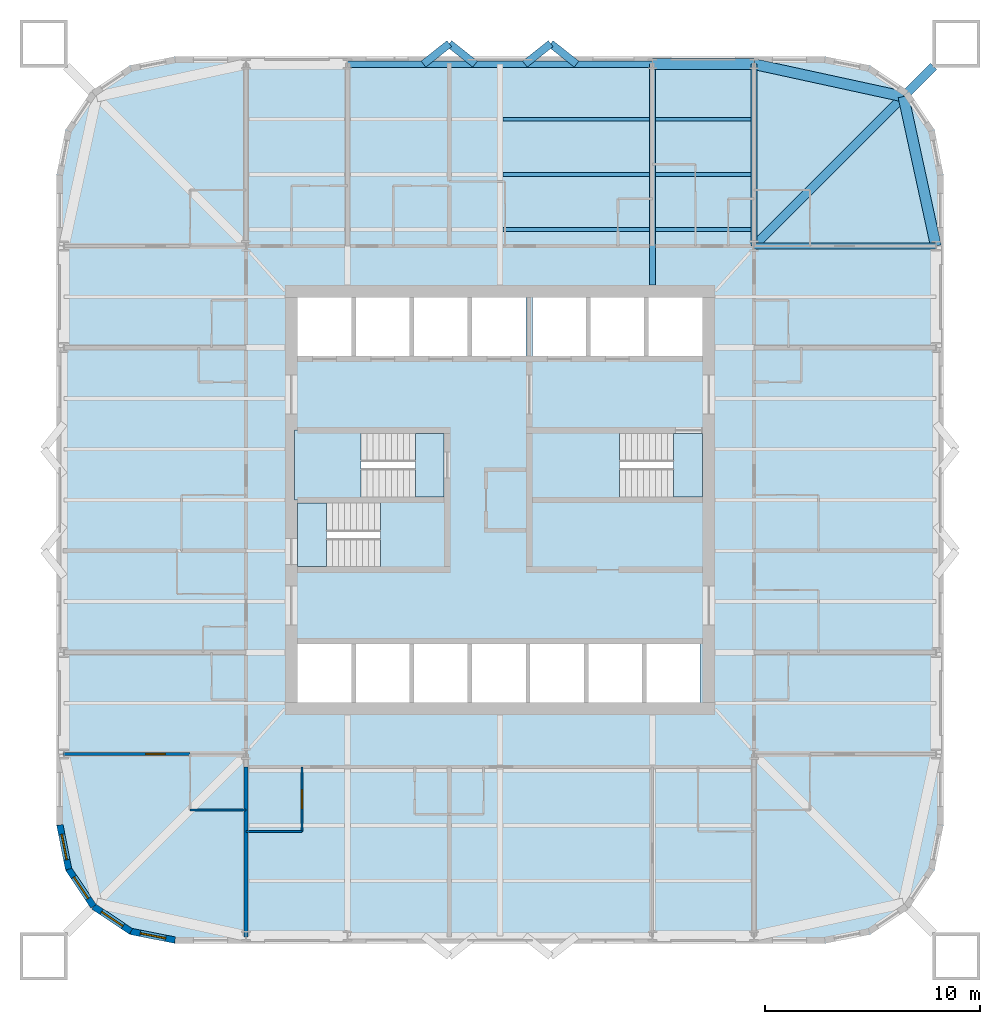
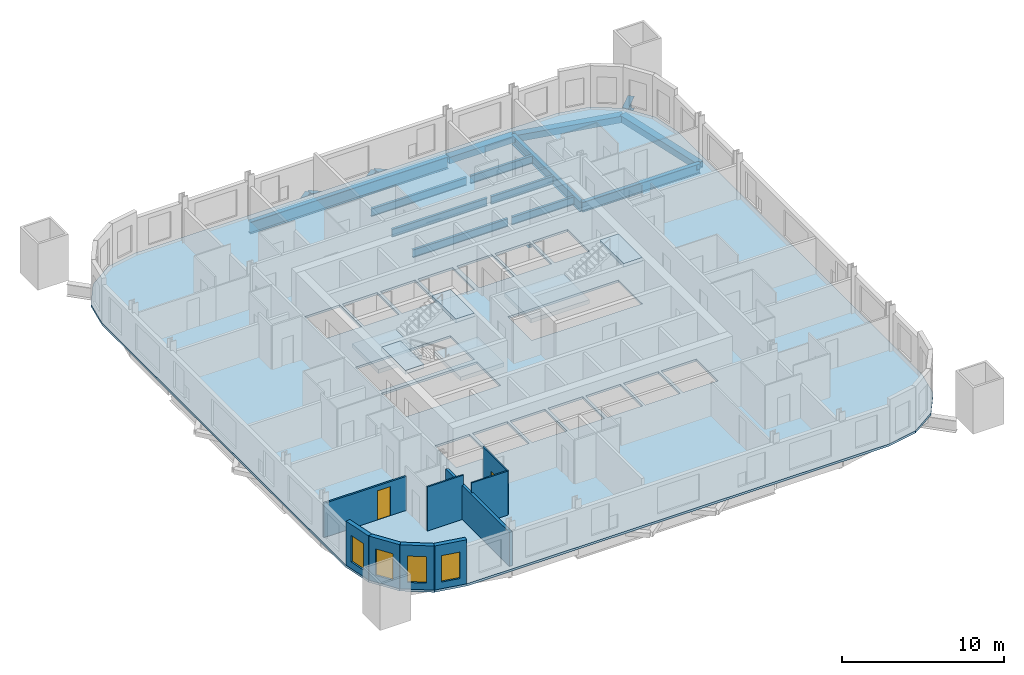
# One storey, part 2 of 9: 18 beams, 9 walls, 7 slabs, 4 windows, 2 doors, 6 openings, 3 elements without a shape of their own.
"""IFC4 building model written with IfcOpenShell, lengths in metres."""

import ifcopenshell
import ifcopenshell.guid

model = None  # the IFC model being written
_history = None  # IfcOwnerHistory: only IFC2X3 demands one
_inside = {}  # id of a spatial element -> (the spatial element, [elements in it])
_under = {}  # id of a project, library or spatial element -> (it, [spatial elements below it])
_declared = {}  # id of a project -> (the project, [libraries it declares])
_typed = {}  # id of a type object -> (the type object, [elements of that type])
_made_of = {}  # id of a material, layer set ... -> (it, [elements and type objects made of it])


def new_model(schema):
    """Start an empty IFC model of exactly this schema.

    Asked for "IFC4X3", IfcOpenShell would pick the latest addendum, in which some entities
    have other attributes; the version numbers below select the first issue.
    IFC2X3 requires an IfcOwnerHistory on every rooted entity: one is made here for all.
    """
    global model, _history
    if schema == "IFC4X3":
        model = ifcopenshell.file(schema_version=(4, 3, 0, 0))
    else:
        model = ifcopenshell.file(schema=schema)
    _inside.clear()
    _under.clear()
    _declared.clear()
    _typed.clear()
    _made_of.clear()
    _history = None
    if model.schema == "IFC2X3":
        org = make("IfcOrganization", Name="unknown")
        user = make(
            "IfcPersonAndOrganization",
            ThePerson=make("IfcPerson", FamilyName="unknown"),
            TheOrganization=org,
        )
        app = make(
            "IfcApplication",
            ApplicationDeveloper=org,
            Version="unknown",
            ApplicationFullName="unknown",
            ApplicationIdentifier="unknown",
        )
        _history = make(
            "IfcOwnerHistory",
            OwningUser=user,
            OwningApplication=app,
            ChangeAction="ADDED",
            CreationDate=0,
        )
    return model


def make(cls, **values):
    """One entity of the class cls with the attributes given. An attribute that is None is left unset."""
    return model.create_entity(
        cls, **{name: value for name, value in values.items() if value is not None}
    )


def rooted(cls, **values):
    """An entity with a GlobalId (a new one), such as an element, a storey or a relation."""
    return make(cls, GlobalId=ifcopenshell.guid.new(), OwnerHistory=_history, **values)


def si_unit(unit_type, name, prefix=None):
    """IfcSIUnit, for example si_unit("LENGTHUNIT", "METRE", prefix="MILLI")."""
    return make("IfcSIUnit", UnitType=unit_type, Prefix=prefix, Name=name)


def assignment(units):
    """IfcUnitAssignment: the units of a project."""
    return None if units is None else make("IfcUnitAssignment", Units=units)


def point(xyz):
    """IfcCartesianPoint."""
    return None if xyz is None else make("IfcCartesianPoint", Coordinates=xyz)


def direction(xyz):
    """IfcDirection."""
    return None if xyz is None else make("IfcDirection", DirectionRatios=xyz)


def frame(location, z_axis=None, x_axis=None):
    """IfcAxis2Placement3D, a coordinate frame: its origin and axes. An axis left out is left unset."""
    return make(
        "IfcAxis2Placement3D",
        Location=point(location),
        Axis=direction(z_axis),
        RefDirection=direction(x_axis),
    )


def frame_2d(location, x_axis=None):
    """IfcAxis2Placement2D, a coordinate frame in the plane: its origin and x axis."""
    return make(
        "IfcAxis2Placement2D", Location=point(location), RefDirection=direction(x_axis)
    )


def origin():
    """The frame at (0, 0, 0) with its axes left unset."""
    return frame((0.0, 0.0, 0.0))


def origin_2d():
    """The frame at (0, 0) in the plane with its x axis left unset."""
    return frame_2d((0.0, 0.0))


def place(relative_to, where):
    """IfcLocalPlacement: puts the frame where relative to a parent placement (None: the world)."""
    return make(
        "IfcLocalPlacement", PlacementRelTo=relative_to, RelativePlacement=where
    )


def context(
    kind, dimensions, precision=None, world=None, true_north=None, identifier=None
):
    """IfcGeometricRepresentationContext, for example the 3D "Model" context."""
    return make(
        "IfcGeometricRepresentationContext",
        ContextIdentifier=identifier,
        ContextType=kind,
        CoordinateSpaceDimension=dimensions,
        Precision=precision,
        WorldCoordinateSystem=world,
        TrueNorth=true_north,
    )


def subcontext(parent, identifier, kind, view, scale=None):
    """IfcGeometricRepresentationSubContext, for example "Body" below "Model"."""
    return make(
        "IfcGeometricRepresentationSubContext",
        ContextIdentifier=identifier,
        ContextType=kind,
        ParentContext=parent,
        TargetScale=scale,
        TargetView=view,
    )


def project(units=None, contexts=None):
    """IfcProject with its units and contexts."""
    return rooted(
        "IfcProject",
        Name="project",
        RepresentationContexts=contexts,
        UnitsInContext=assignment(units),
    )


def spatial(cls, under=None, at=None, **own):
    """A site, building, storey or space (cls), placed at a placement, below another one or the project."""
    s = rooted(cls, ObjectPlacement=at, **own)
    if under is not None:
        _under.setdefault(under.id(), (under, []))[1].append(s)
    return s


def polyline(points):
    """IfcPolyline through the points."""
    return make("IfcPolyline", Points=[point(p) for p in points])


def profile(cls, at=None, kind="AREA", **sizes):
    """A parametric profile (cls). Its sizes go by their IFC names, for example OverallWidth=200.0."""
    return make(cls, ProfileType=kind, Position=at, **sizes)


def rectangle(**sizes):
    """IfcRectangleProfileDef."""
    return profile("IfcRectangleProfileDef", **sizes)


def hollow_rectangle(**sizes):
    """IfcRectangleHollowProfileDef."""
    return profile("IfcRectangleHollowProfileDef", **sizes)


def i_section(**sizes):
    """IfcIShapeProfileDef."""
    return profile("IfcIShapeProfileDef", **sizes)


def outline(outer, holes=None, kind="AREA"):
    """IfcArbitraryClosedProfileDef: a profile drawn as a closed curve; with holes, ...WithVoids."""
    if holes is None:
        return make("IfcArbitraryClosedProfileDef", ProfileType=kind, OuterCurve=outer)
    return make(
        "IfcArbitraryProfileDefWithVoids",
        ProfileType=kind,
        OuterCurve=outer,
        InnerCurves=holes,
    )


def extrude(swept, where, along, depth):
    """IfcExtrudedAreaSolid: the profile swept, set in the frame where, extruded along a direction by depth."""
    return make(
        "IfcExtrudedAreaSolid",
        SweptArea=swept,
        Position=where,
        ExtrudedDirection=direction(along),
        Depth=depth,
    )


def shape(context_of_items, identifier, shape_type, items):
    """IfcShapeRepresentation: the items that make up one representation, for example the "Body"."""
    return make(
        "IfcShapeRepresentation",
        ContextOfItems=context_of_items,
        RepresentationIdentifier=identifier,
        RepresentationType=shape_type,
        Items=items,
    )


def material(Name=None, Category=None):
    """IfcMaterial."""
    return make("IfcMaterial", Name=Name, Category=Category)


def layer(
    of_material, thickness, ventilated=None, Name=None, Category=None, Priority=None
):
    """IfcMaterialLayer: one layer of a wall or slab, of a material (None: an air gap)."""
    return make(
        "IfcMaterialLayer",
        Material=of_material,
        LayerThickness=thickness,
        IsVentilated=ventilated,
        Name=Name,
        Category=Category,
        Priority=Priority,
    )


def layer_set(layers, Name=None):
    """IfcMaterialLayerSet."""
    return make("IfcMaterialLayerSet", MaterialLayers=layers, LayerSetName=Name)


def material_profile(
    of_material, cross_section, Name=None, Category=None, Priority=None
):
    """IfcMaterialProfile: a cross section and its material."""
    return make(
        "IfcMaterialProfile",
        Name=Name,
        Material=of_material,
        Profile=cross_section,
        Priority=Priority,
        Category=Category,
    )


def profile_set(profiles, Name=None, composite=None):
    """IfcMaterialProfileSet."""
    return make(
        "IfcMaterialProfileSet",
        Name=Name,
        MaterialProfiles=profiles,
        CompositeProfile=composite,
    )


def made_of(thing, what):
    """Note that an element or type object is made of a material, layer set ...; save() writes the relation."""
    if what is not None:
        _made_of.setdefault(what.id(), (what, []))[1].append(thing)
    return thing


def type_object(cls, material=None, **own):
    """A type object (cls), such as IfcWallType, which elements share."""
    return made_of(rooted(cls, **own), material)


def element(
    cls,
    number,
    at=None,
    inside=None,
    cuts=None,
    type_object=None,
    material=None,
    context=None,
    identifier="Body",
    shape_type=None,
    held_by="IfcProductDefinitionShape",
    body=None,
    shapes=None,
    **own,
):
    """One element of the class cls, such as IfcWall. Its Tag is "e" and its number.

    at: its placement. inside: the storey or other place that contains it. cuts: it is an
    opening in that element (IfcRelVoidsElement). A single representation is given by context,
    identifier, shape_type and body (its items); several are given by shapes. held_by: the class
    of the entity that holds the representations. save() writes the other relations.
    """
    e = rooted(cls, Tag="e%d" % number, ObjectPlacement=at, **own)
    if body is not None:
        shapes = [shape(context, identifier, shape_type, body)]
    if shapes is not None:
        e.Representation = make(held_by, Representations=shapes)
    if inside is not None:
        _inside.setdefault(inside.id(), (inside, []))[1].append(e)
    if cuts is not None:
        rooted(
            "IfcRelVoidsElement", RelatingBuildingElement=cuts, RelatedOpeningElement=e
        )
    if type_object is not None:
        _typed.setdefault(type_object.id(), (type_object, []))[1].append(e)
    return made_of(e, material)


def fill(opening, filler):
    """IfcRelFillsElement: the door or window that sits in an opening."""
    return rooted(
        "IfcRelFillsElement",
        RelatingOpeningElement=opening,
        RelatedBuildingElement=filler,
    )


def aggregate(whole, parts):
    """IfcRelAggregates: a whole, such as a stair, and the parts it consists of."""
    return rooted("IfcRelAggregates", RelatingObject=whole, RelatedObjects=parts)


def save(model, path):
    """Write the relations noted so far, then the file.

    IfcRelAggregates (storeys below a building ...), IfcRelContainedInSpatialStructure (elements
    in a storey), IfcRelDefinesByType, IfcRelAssociatesMaterial and IfcRelDeclares: one each for
    every whole, place, type object, material and project.
    """
    for whole, parts in _under.values():
        aggregate(whole, parts)
    for where, things in _inside.values():
        rooted(
            "IfcRelContainedInSpatialStructure",
            RelatedElements=things,
            RelatingStructure=where,
        )
    for kind, things in _typed.values():
        rooted("IfcRelDefinesByType", RelatedObjects=things, RelatingType=kind)
    for what, things in _made_of.values():
        rooted("IfcRelAssociatesMaterial", RelatedObjects=things, RelatingMaterial=what)
    for by, libraries in _declared.values():
        rooted("IfcRelDeclares", RelatingContext=by, RelatedDefinitions=libraries)
    model.write(path)


model = new_model("IFC4")

# Units and contexts
model_context = context("Model", 3, precision=1e-05, world=origin(), true_north=direction((0.0, 1.0)))
body_context = subcontext(model_context, "Body", "Model", "MODEL_VIEW")
ifc_project = project(units=[si_unit("LENGTHUNIT", "METRE"), si_unit("AREAUNIT", "SQUARE_METRE"), si_unit("VOLUMEUNIT", "CUBIC_METRE"), si_unit("PLANEANGLEUNIT", "RADIAN"), si_unit("MASSUNIT", "GRAM", prefix="KILO")], contexts=[model_context])

# Site, building, storey
site_placement = place(None, origin())
site = spatial("IfcSite", under=ifc_project, at=site_placement, CompositionType="ELEMENT")
building_placement = place(site_placement, origin())
building = spatial("IfcBuilding", under=site, at=building_placement, Name="Turquesa Mirador Hotel Tower", CompositionType="ELEMENT")
storey_placement = place(building_placement, frame((0.0, 0.0, 128.39990234375)))
storey = spatial("IfcBuildingStorey", under=building, at=storey_placement, Name="L34", CompositionType="ELEMENT", Elevation=128.39990234375)

# Beams
ifc_material_1 = material(Name="Steel ASTM A572 Grade 50", Category="steel")
ifc_material_profile_1 = material_profile(ifc_material_1, hollow_rectangle(XDim=0.5, YDim=0.5, WallThickness=0.01611328125, at=origin_2d()), Name="BOX500X500X16")
ifc_profile_set_1 = profile_set([ifc_material_profile_1], Name="Steel ASTM A572 Grade 50")
beam_type_1 = type_object("IfcBeamType", Name="BEAM BOX500X500X16", PredefinedType="BEAM", material=ifc_profile_set_1)
beam_1_placement = place(storey_placement, frame((62.080078125, 65.25, -0.419921875), z_axis=(1.0, 0.0, 0.0), x_axis=(0.0, 1.0, 0.0)))
element("IfcBeam", 1, at=beam_1_placement, inside=storey, type_object=beam_type_1, Name="EB-L34-N-R", PredefinedType="BEAM", context=body_context, shape_type="SweptSolid", body=[
    extrude(hollow_rectangle(XDim=0.5, YDim=0.5, WallThickness=0.01611328125, at=origin_2d()), origin(), (0.0, 0.0, 1.0), 4.719970703125),
])
for number, where, z_axis, x_axis, name in (
    (2, (75.25, 56.800048828125, -0.419921875), (-0.212328336885, 0.977198381781, 0.0), (-0.977198381781, -0.212328336885, 0.0), "KE-L34-1-0"),
    (3, (73.74169921875, 63.74169921875, -0.419921875), (-0.977198381781, 0.212328336885, 0.0), (-0.212328336885, -0.977198381781, 0.0), "KE-L34-1-1"),
):
    element("IfcBeam", number, at=place(storey_placement, frame(where, z_axis=z_axis, x_axis=x_axis)), inside=storey, type_object=beam_type_1, Name=name, PredefinedType="BEAM", context=body_context, shape_type="SweptSolid", body=[
        extrude(hollow_rectangle(XDim=0.5, YDim=0.5, WallThickness=0.01611328125, at=origin_2d()), origin(), (0.0, 0.0, 1.0), 7.103515625),
    ])
ifc_material_2 = material(Name="Steel ASTM A992 Grade 50", Category="steel")
ifc_material_profile_2 = material_profile(ifc_material_2, i_section(OverallWidth=0.177978515625, OverallDepth=0.599365234375, WebThickness=0.010009765625, FlangeThickness=0.012939453125, at=origin_2d()), Name="W24X55")
ifc_profile_set_2 = profile_set([ifc_material_profile_2], Name="Steel ASTM A992 Grade 50")
beam_type_2 = type_object("IfcBeamType", Name="BEAM W24X55", PredefinedType="BEAM", material=ifc_profile_set_2)
beam_2_placement = place(storey_placement, frame((55.13330078125, 57.56201171875, -0.4697265625), z_axis=(1.0, 0.0, 0.0), x_axis=(0.0, 1.0, 0.0)))
element("IfcBeam", 4, at=beam_2_placement, inside=storey, type_object=beam_type_2, Name="IB-L34-N-1-2", PredefinedType="BEAM", context=body_context, shape_type="SweptSolid", body=[
    extrude(i_section(OverallWidth=0.177978515625, OverallDepth=0.599365234375, WebThickness=0.010009765625, FlangeThickness=0.012939453125, at=origin_2d()), origin(), (0.0, 0.0, 1.0), 6.813232421875),
])
beam_3_placement = place(storey_placement, frame((62.21337890625, 57.56201171875, -0.4697265625), z_axis=(1.0, 0.0, 0.0), x_axis=(0.0, 1.0, 0.0)))
element("IfcBeam", 5, at=beam_3_placement, inside=storey, type_object=beam_type_2, Name="IB-L34-N-1-3", PredefinedType="BEAM", context=body_context, shape_type="SweptSolid", body=[
    extrude(i_section(OverallWidth=0.177978515625, OverallDepth=0.599365234375, WebThickness=0.010009765625, FlangeThickness=0.012939453125, at=origin_2d()), origin(), (0.0, 0.0, 1.0), 4.453369140625),
])
beam_4_placement = place(storey_placement, frame((55.13330078125, 60.125, -0.4697265625), z_axis=(1.0, 0.0, 0.0), x_axis=(0.0, 1.0, 0.0)))
element("IfcBeam", 6, at=beam_4_placement, inside=storey, type_object=beam_type_2, Name="IB-L34-N-2-2", PredefinedType="BEAM", context=body_context, shape_type="SweptSolid", body=[
    extrude(i_section(OverallWidth=0.177978515625, OverallDepth=0.599365234375, WebThickness=0.010009765625, FlangeThickness=0.012939453125, at=origin_2d()), origin(), (0.0, 0.0, 1.0), 6.813232421875),
])
beam_5_placement = place(storey_placement, frame((62.21337890625, 60.125, -0.4697265625), z_axis=(1.0, 0.0, 0.0), x_axis=(0.0, 1.0, 0.0)))
element("IfcBeam", 7, at=beam_5_placement, inside=storey, type_object=beam_type_2, Name="IB-L34-N-2-3", PredefinedType="BEAM", context=body_context, shape_type="SweptSolid", body=[
    extrude(i_section(OverallWidth=0.177978515625, OverallDepth=0.599365234375, WebThickness=0.010009765625, FlangeThickness=0.012939453125, at=origin_2d()), origin(), (0.0, 0.0, 1.0), 4.453369140625),
])
beam_6_placement = place(storey_placement, frame((55.13330078125, 62.68798828125, -0.4697265625), z_axis=(1.0, 0.0, 0.0), x_axis=(0.0, 1.0, 0.0)))
element("IfcBeam", 8, at=beam_6_placement, inside=storey, type_object=beam_type_2, Name="IB-L34-N-3-2", PredefinedType="BEAM", context=body_context, shape_type="SweptSolid", body=[
    extrude(i_section(OverallWidth=0.177978515625, OverallDepth=0.599365234375, WebThickness=0.010009765625, FlangeThickness=0.012939453125, at=origin_2d()), origin(), (0.0, 0.0, 1.0), 6.813232421875),
])
beam_7_placement = place(storey_placement, frame((62.21337890625, 62.68798828125, -0.4697265625), z_axis=(1.0, 0.0, 0.0), x_axis=(0.0, 1.0, 0.0)))
element("IfcBeam", 9, at=beam_7_placement, inside=storey, type_object=beam_type_2, Name="IB-L34-N-3-3", PredefinedType="BEAM", context=body_context, shape_type="SweptSolid", body=[
    extrude(i_section(OverallWidth=0.177978515625, OverallDepth=0.599365234375, WebThickness=0.010009765625, FlangeThickness=0.012939453125, at=origin_2d()), origin(), (0.0, 0.0, 1.0), 4.453369140625),
])
ifc_material_3 = material(Name="Steel ASTM A992 Grade 50", Category="steel")
ifc_material_profile_3 = material_profile(ifc_material_3, i_section(OverallWidth=0.2666015625, OverallDepth=0.7568359375, WebThickness=0.013916015625, FlangeThickness=0.019287109375, at=origin_2d()), Name="W30X108")
ifc_profile_set_3 = profile_set([ifc_material_profile_3], Name="Steel ASTM A992 Grade 50")
beam_type_3 = type_object("IfcBeamType", Name="BEAM W30X108", PredefinedType="BEAM", material=ifc_profile_set_3)
beam_8_placement = place(storey_placement, frame((62.080078125, 65.25, -0.54833984375), z_axis=(0.0, -1.0, 0.0), x_axis=(1.0, 0.0, 0.0)))
element("IfcBeam", 10, at=beam_8_placement, inside=storey, type_object=beam_type_3, Name="GD-L34-N-+7.08", PredefinedType="BEAM", context=body_context, shape_type="SweptSolid", body=[
    extrude(i_section(OverallWidth=0.2666015625, OverallDepth=0.7568359375, WebThickness=0.013916015625, FlangeThickness=0.019287109375, at=origin_2d()), origin(), (0.0, 0.0, 1.0), 10.25),
])
for number, where, z_axis, x_axis, name in (
    (11, (66.800048828125, 65.25, -0.54833984375), (0.0, -1.0, 0.0), (1.0, 0.0, 0.0), "GK-L34-N-+11.80"),
    (12, (75.25, 56.800048828125, -0.54833984375), (-1.0, 0.0, 0.0), (0.0, -1.0, 0.0), "GK-L34-E-+11.80"),
):
    element("IfcBeam", number, at=place(storey_placement, frame(where, z_axis=z_axis, x_axis=x_axis)), inside=storey, type_object=beam_type_3, Name=name, PredefinedType="BEAM", context=body_context, shape_type="SweptSolid", body=[
        extrude(i_section(OverallWidth=0.2666015625, OverallDepth=0.7568359375, WebThickness=0.013916015625, FlangeThickness=0.019287109375, at=origin_2d()), origin(), (0.0, 0.0, 1.0), 8.449951171875),
    ])
ifc_material_4 = material(Name="Steel ASTM A992 Grade 50", Category="steel")
ifc_material_profile_4 = material_profile(ifc_material_4, i_section(OverallWidth=0.3046875, OverallDepth=0.911865234375, WebThickness=0.015869140625, FlangeThickness=0.02392578125, at=origin_2d()), Name="W36X150")
ifc_profile_set_4 = profile_set([ifc_material_profile_4], Name="Steel ASTM A992 Grade 50")
beam_type_4 = type_object("IfcBeamType", Name="BEAM W36X150", PredefinedType="BEAM", material=ifc_profile_set_4)
beam_9_placement = place(storey_placement, frame((47.919921875, 65.25, -0.625732421875), z_axis=(1.0, 0.0, 0.0), x_axis=(0.0, 1.0, 0.0)))
element("IfcBeam", 13, at=beam_9_placement, inside=storey, type_object=beam_type_4, Name="EB-L34-N-C", PredefinedType="BEAM", context=body_context, shape_type="SweptSolid", body=[
    extrude(i_section(OverallWidth=0.3046875, OverallDepth=0.911865234375, WebThickness=0.015869140625, FlangeThickness=0.02392578125, at=origin_2d()), origin(), (0.0, 0.0, 1.0), 14.16015625),
])
ifc_material_5 = material(Name="Steel ASTM A992 Grade 50", Category="steel")
ifc_material_profile_5 = material_profile(ifc_material_5, i_section(OverallWidth=0.419189453125, OverallDepth=0.927001953125, WebThickness=0.019287109375, FlangeThickness=0.031982421875, at=origin_2d()), Name="W36X231")
ifc_profile_set_5 = profile_set([ifc_material_profile_5], Name="Steel ASTM A992 Grade 50")
beam_type_5 = type_object("IfcBeamType", Name="BEAM W36X231", PredefinedType="BEAM", material=ifc_profile_set_5)
beam_10_placement = place(storey_placement, frame((66.800048828125, 56.800048828125, -0.633544921875), z_axis=(0.707106781187, 0.707106781187, 0.0), x_axis=(-0.707106781187, 0.707106781187, 0.0)))
element("IfcBeam", 14, at=beam_10_placement, inside=storey, type_object=beam_type_5, Name="KD-L34-1", PredefinedType="BEAM", context=body_context, shape_type="SweptSolid", body=[
    extrude(i_section(OverallWidth=0.419189453125, OverallDepth=0.927001953125, WebThickness=0.019287109375, FlangeThickness=0.031982421875, at=origin_2d()), origin(), (0.0, 0.0, 1.0), 11.80859375),
])
ifc_material_6 = material(Name="Steel ASTM A500 Grade C", Category="steel")
ifc_material_profile_6 = material_profile(ifc_material_6, hollow_rectangle(XDim=0.355712890625, YDim=0.355712890625, WallThickness=0.0146484375, at=origin_2d()), Name="HSS14X14X5/8")
ifc_profile_set_6 = profile_set([ifc_material_profile_6], Name="Steel ASTM A500 Grade C")
beam_type_6 = type_object("IfcBeamType", Name="BRACE STRUT HSS14X14X5/8", PredefinedType="BEAM", material=ifc_profile_set_6)
beam_11_placement = place(storey_placement, frame((57.35546875, 66.199951171875, -0.34765625), z_axis=(-0.784049059149, -0.620698858423, 0.0), x_axis=(0.620698858423, -0.784049059149, 0.0)))
element("IfcBeam", 15, at=beam_11_placement, inside=storey, type_object=beam_type_6, Name="Brace strut", PredefinedType="BEAM", context=body_context, shape_type="SweptSolid", body=[
    extrude(hollow_rectangle(XDim=0.355712890625, YDim=0.355712890625, WallThickness=0.0146484375, at=origin_2d()), origin(), (0.0, 0.0, 1.0), 1.530517578125),
])
for number, where, z_axis, x_axis, name in (
    (16, (57.35546875, 66.199951171875, -0.34765625), (0.784110506071, -0.620621232531, 0.0), (0.620621232531, 0.784110506071, 0.0), "Brace strut"),
    (17, (52.64453125, 66.199951171875, -0.34765625), (-0.784110506071, -0.620621232531, 0.0), (0.620621232531, -0.784110506071, 0.0), "Brace strut"),
):
    element("IfcBeam", number, at=place(storey_placement, frame(where, z_axis=z_axis, x_axis=x_axis)), inside=storey, type_object=beam_type_6, Name=name, PredefinedType="BEAM", context=body_context, shape_type="SweptSolid", body=[
        extrude(hollow_rectangle(XDim=0.355712890625, YDim=0.355712890625, WallThickness=0.0146484375, at=origin_2d()), origin(), (0.0, 0.0, 1.0), 1.53076171875),
    ])
beam_12_placement = place(storey_placement, frame((52.64453125, 66.199951171875, -0.34765625), z_axis=(0.784049059149, -0.620698858423, 0.0), x_axis=(0.620698858423, 0.784049059149, 0.0)))
element("IfcBeam", 18, at=beam_12_placement, inside=storey, type_object=beam_type_6, Name="Brace strut", PredefinedType="BEAM", context=body_context, shape_type="SweptSolid", body=[
    extrude(hollow_rectangle(XDim=0.355712890625, YDim=0.355712890625, WallThickness=0.0146484375, at=origin_2d()), origin(), (0.0, 0.0, 1.0), 1.530517578125),
])

# Slab
ifc_material_7 = material(Name="Concrete C28/35", Category="concrete")
ifc_layer_1 = layer(ifc_material_7, 0.169921875)
ifc_layer_set_1 = layer_set([ifc_layer_1], Name="COMPOSITE FLOOR SLAB 170")
slab_type_1 = type_object("IfcSlabType", Name="COMPOSITE FLOOR SLAB 170", PredefinedType="FLOOR", material=ifc_layer_set_1)
slab_1_placement = place(storey_placement, frame((0.0, 0.0, -0.169921875)))
element("IfcSlab", 19, at=slab_1_placement, inside=storey, type_object=slab_type_1, Name="Floor slab L34", PredefinedType="FLOOR", context=body_context, shape_type="SweptSolid", body=[
    extrude(outline(polyline([(70.10009765625, 24.39990234375), (72.204833984375, 24.818603515625), (73.989013671875, 26.010986328125), (75.181396484375, 27.795166015625), (75.60009765625, 29.89990234375), (75.60009765625, 60.10009765625), (75.181396484375, 62.204833984375), (73.989013671875, 63.989013671875), (72.204833984375, 65.181396484375), (70.10009765625, 65.60009765625), (39.89990234375, 65.60009765625), (37.795166015625, 65.181396484375), (36.010986328125, 63.989013671875), (34.818603515625, 62.204833984375), (34.39990234375, 60.10009765625), (34.39990234375, 29.89990234375), (34.818603515625, 27.795166015625), (36.010986328125, 26.010986328125), (37.795166015625, 24.818603515625), (39.89990234375, 24.39990234375), (70.10009765625, 24.39990234375)]), holes=[polyline([(45.60009765625, 51.699951171875), (48.10009765625, 51.699951171875), (48.10009765625, 54.39990234375), (45.60009765625, 54.39990234375), (45.60009765625, 51.699951171875)]), polyline([(48.300048828125, 51.699951171875), (50.800048828125, 51.699951171875), (50.800048828125, 54.39990234375), (48.300048828125, 54.39990234375), (48.300048828125, 51.699951171875)]), polyline([(51.0, 51.699951171875), (53.5, 51.699951171875), (53.5, 54.39990234375), (51.0, 54.39990234375), (51.0, 51.699951171875)]), polyline([(53.699951171875, 51.699951171875), (56.199951171875, 51.699951171875), (56.199951171875, 54.39990234375), (53.699951171875, 54.39990234375), (53.699951171875, 51.699951171875)]), polyline([(56.5, 51.699951171875), (59.0, 51.699951171875), (59.0, 54.39990234375), (56.5, 54.39990234375), (56.5, 51.699951171875)]), polyline([(59.199951171875, 51.699951171875), (61.699951171875, 51.699951171875), (61.699951171875, 54.39990234375), (59.199951171875, 54.39990234375), (59.199951171875, 51.699951171875)]), polyline([(45.60009765625, 35.60009765625), (48.10009765625, 35.60009765625), (48.10009765625, 38.300048828125), (45.60009765625, 38.300048828125), (45.60009765625, 35.60009765625)]), polyline([(48.300048828125, 35.60009765625), (50.800048828125, 35.60009765625), (50.800048828125, 38.300048828125), (48.300048828125, 38.300048828125), (48.300048828125, 35.60009765625)]), polyline([(51.0, 35.60009765625), (53.5, 35.60009765625), (53.5, 38.300048828125), (51.0, 38.300048828125), (51.0, 35.60009765625)]), polyline([(53.699951171875, 35.60009765625), (56.199951171875, 35.60009765625), (56.199951171875, 38.300048828125), (53.699951171875, 38.300048828125), (53.699951171875, 35.60009765625)]), polyline([(56.39990234375, 35.60009765625), (58.89990234375, 35.60009765625), (58.89990234375, 38.300048828125), (56.39990234375, 38.300048828125), (56.39990234375, 35.60009765625)]), polyline([(59.10009765625, 35.60009765625), (61.60009765625, 35.60009765625), (61.60009765625, 38.300048828125), (59.10009765625, 38.300048828125), (59.10009765625, 35.60009765625)]), polyline([(61.800048828125, 35.60009765625), (64.300048828125, 35.60009765625), (64.300048828125, 38.300048828125), (61.800048828125, 38.300048828125), (61.800048828125, 35.60009765625)]), polyline([(45.60009765625, 45.14990234375), (52.39990234375, 45.14990234375), (52.39990234375, 48.10009765625), (45.60009765625, 48.10009765625), (45.60009765625, 45.14990234375)]), polyline([(45.60009765625, 41.89990234375), (52.39990234375, 41.89990234375), (52.39990234375, 44.85009765625), (45.60009765625, 44.85009765625), (45.60009765625, 41.89990234375)]), polyline([(56.5, 45.14990234375), (64.39990234375, 45.14990234375), (64.39990234375, 48.10009765625), (56.5, 48.10009765625), (56.5, 45.14990234375)]), polyline([(61.89990234375, 51.699951171875), (64.39990234375, 51.699951171875), (64.39990234375, 54.39990234375), (61.89990234375, 54.39990234375), (61.89990234375, 51.699951171875)])]), origin(), (0.0, 0.0, 1.0), 0.169921875),
])

# Stair, slabs
ifc_material_8 = material(Name="Concrete C35/45", Category="concrete")
stair_type = type_object("IfcStairType", Name="ESCAPE STAIR CORE", PredefinedType="HALF_TURN_STAIR", material=ifc_material_8)
stair_1_placement = place(storey_placement, origin())
stair_1 = element("IfcStair", 20, at=stair_1_placement, inside=storey, type_object=stair_type, Name="Stair ST1 L34 to L35", PredefinedType="HALF_TURN_STAIR")
ifc_material_9 = material(Name="Concrete C35/45", Category="concrete")
ifc_layer_2 = layer(ifc_material_9, 0.300048828125)
ifc_layer_set_2 = layer_set([ifc_layer_2], Name="STAIR LANDING 300")
slab_type_2 = type_object("IfcSlabType", Name="STAIR LANDING 300", PredefinedType="LANDING", material=ifc_layer_set_2)
slab_2_placement = place(storey_placement, frame((0.0, 0.0, 1.4501953125)))
slab_2 = element("IfcSlab", 21, at=slab_2_placement, type_object=slab_type_2, Name="ST1 landing 1", PredefinedType="LANDING", context=body_context, shape_type="SweptSolid", body=[
    extrude(outline(polyline([(45.449951171875, 45.0), (48.550048828125, 45.0), (48.550048828125, 48.25), (45.449951171875, 48.25), (45.449951171875, 45.0)])), origin(), (0.0, 0.0, 1.0), 0.2998046875),
])
slab_3_placement = place(storey_placement, frame((0.0, 0.0, 3.2001953125)))
slab_3 = element("IfcSlab", 22, at=slab_3_placement, type_object=slab_type_2, Name="ST1 landing 2", PredefinedType="LANDING", context=body_context, shape_type="SweptSolid", body=[
    extrude(outline(polyline([(51.070068359375, 45.14990234375), (52.39990234375, 45.14990234375), (52.39990234375, 48.10009765625), (51.070068359375, 48.10009765625), (51.070068359375, 45.14990234375)])), origin(), (0.0, 0.0, 1.0), 0.2998046875),
])
aggregate(stair_1, [slab_2, slab_3])

stair_2_placement = place(storey_placement, origin())
stair_2 = element("IfcStair", 23, at=stair_2_placement, inside=storey, type_object=stair_type, Name="Stair ST2 L34 to L35", PredefinedType="HALF_TURN_STAIR")
slab_4_placement = place(storey_placement, frame((0.0, 0.0, 1.4501953125)))
slab_4 = element("IfcSlab", 24, at=slab_4_placement, type_object=slab_type_2, Name="ST2 landing 1", PredefinedType="LANDING", context=body_context, shape_type="SweptSolid", body=[
    extrude(outline(polyline([(52.550048828125, 45.0), (49.449951171875, 45.0), (49.449951171875, 41.75), (52.550048828125, 41.75), (52.550048828125, 45.0)])), origin(), (0.0, 0.0, 1.0), 0.2998046875),
])
slab_5_placement = place(storey_placement, frame((0.0, 0.0, 3.2001953125)))
slab_5 = element("IfcSlab", 25, at=slab_5_placement, type_object=slab_type_2, Name="ST2 landing 2", PredefinedType="LANDING", context=body_context, shape_type="SweptSolid", body=[
    extrude(outline(polyline([(46.929931640625, 44.85009765625), (45.60009765625, 44.85009765625), (45.60009765625, 41.89990234375), (46.929931640625, 41.89990234375), (46.929931640625, 44.85009765625)])), origin(), (0.0, 0.0, 1.0), 0.2998046875),
])
aggregate(stair_2, [slab_4, slab_5])

stair_3_placement = place(storey_placement, origin())
stair_3 = element("IfcStair", 26, at=stair_3_placement, inside=storey, type_object=stair_type, Name="Stair ST3 L34 to L35", PredefinedType="HALF_TURN_STAIR")
slab_6_placement = place(storey_placement, frame((0.0, 0.0, 1.4501953125)))
slab_6 = element("IfcSlab", 27, at=slab_6_placement, type_object=slab_type_2, Name="ST3 landing 1", PredefinedType="LANDING", context=body_context, shape_type="SweptSolid", body=[
    extrude(outline(polyline([(56.35009765625, 45.0), (60.550048828125, 45.0), (60.550048828125, 48.25), (56.35009765625, 48.25), (56.35009765625, 45.0)])), origin(), (0.0, 0.0, 1.0), 0.2998046875),
])
slab_7_placement = place(storey_placement, frame((0.0, 0.0, 3.2001953125)))
slab_7 = element("IfcSlab", 28, at=slab_7_placement, type_object=slab_type_2, Name="ST3 landing 2", PredefinedType="LANDING", context=body_context, shape_type="SweptSolid", body=[
    extrude(outline(polyline([(63.070068359375, 45.14990234375), (64.39990234375, 45.14990234375), (64.39990234375, 48.10009765625), (63.070068359375, 48.10009765625), (63.070068359375, 45.14990234375)])), origin(), (0.0, 0.0, 1.0), 0.2998046875),
])
aggregate(stair_3, [slab_6, slab_7])

# Walls
ifc_material_10 = material(Name="Gypsum board on steel studs", Category="steel")
ifc_layer_3 = layer(ifc_material_10, 0.10009765625)
ifc_layer_set_3 = layer_set([ifc_layer_3], Name="BATHROOM WALL 100")
wall_type_1 = type_object("IfcWallType", Name="BATHROOM WALL 100", PredefinedType="PARTITIONING", material=ifc_layer_set_3)
wall_1_placement = place(storey_placement, frame((40.60009765625, 30.60009765625, 0.0), z_axis=(0.0, 0.0, 1.0), x_axis=(1.0, 0.0, 0.0)))
element("IfcWall", 29, at=wall_1_placement, inside=storey, type_object=wall_type_1, Name="Partition L34 006", PredefinedType="PARTITIONING", context=body_context, shape_type="SweptSolid", body=[
    extrude(rectangle(XDim=2.599853515625, YDim=0.10009765625, at=frame_2d((1.2998046875, 0.0))), origin(), (0.0, 0.0, 1.0), 3.330078125),
])
wall_2_placement = place(storey_placement, frame((43.199951171875, 29.60009765625, 0.0), z_axis=(0.0, 0.0, 1.0), x_axis=(1.0, 0.0, 0.0)))
element("IfcWall", 30, at=wall_2_placement, inside=storey, type_object=wall_type_1, Name="Partition L34 010", PredefinedType="PARTITIONING", context=body_context, shape_type="SweptSolid", body=[
    extrude(rectangle(XDim=2.60009765625, YDim=0.10009765625, at=frame_2d((1.300048828125, 0.0))), origin(), (0.0, 0.0, 1.0), 3.330078125),
])

# Wall, opening, door
wall_3_placement = place(storey_placement, frame((45.800048828125, 29.60009765625, 0.0), z_axis=(0.0, 0.0, 1.0), x_axis=(0.0, 1.0, 0.0)))
wall_3 = element("IfcWall", 31, at=wall_3_placement, inside=storey, type_object=wall_type_1, Name="Partition L34 061", PredefinedType="PARTITIONING", context=body_context, shape_type="SweptSolid", body=[
    extrude(rectangle(XDim=3.0, YDim=0.10009765625, at=frame_2d((1.5, 0.0))), origin(), (0.0, 0.0, 1.0), 3.330078125),
])
opening_1_placement = place(wall_3_placement, frame((1.050048828125, 0.0, 0.0)))
opening_1 = element("IfcOpeningElement", 32, at=opening_1_placement, cuts=wall_3, Name="Opening D02", PredefinedType="OPENING", context=body_context, shape_type="SweptSolid", body=[
    extrude(rectangle(XDim=0.89990234375, YDim=2.10009765625, at=frame_2d((0.449951171875, 1.050048828125))), frame((0.0, 0.06005859375, 0.0), z_axis=(0.0, -1.0, 0.0), x_axis=(1.0, 0.0, 0.0)), (0.0, 0.0, 1.0), 0.1201171875),
])
ifc_material_11 = material(Name="Timber veneered door", Category="wood")
door_type_1 = type_object("IfcDoorType", Name="DOOR 900X2100 EN-SUITE", OperationType="SINGLE_SWING_RIGHT", PredefinedType="DOOR", material=ifc_material_11)
door_1_placement = place(opening_1_placement, origin())
door_1 = element("IfcDoor", 33, at=door_1_placement, inside=storey, type_object=door_type_1, Name="Door 3405B", OperationType="SINGLE_SWING_RIGHT", OverallHeight=2.10009765625, OverallWidth=0.89990234375, PredefinedType="DOOR", context=body_context, shape_type="SweptSolid", body=[
    extrude(rectangle(XDim=0.89990234375, YDim=2.10009765625, at=frame_2d((0.449951171875, 1.050048828125))), frame((0.0, 0.02490234375, 0.0), z_axis=(0.0, -1.0, 0.0), x_axis=(1.0, 0.0, 0.0)), (0.0, 0.0, 1.0), 0.050048828125),
])
fill(opening_1, door_1)

# Wall, opening, window
ifc_material_12 = material(Name="Limestone cladding on concrete block", Category="masonry")
ifc_layer_4 = layer(ifc_material_12, 0.300048828125)
ifc_layer_set_4 = layer_set([ifc_layer_4], Name="FACADE WALL 300 STONE SCREEN")
wall_type_2 = type_object("IfcWallType", Name="FACADE WALL 300 STONE SCREEN", PredefinedType="SOLIDWALL", material=ifc_layer_set_4)
wall_4_placement = place(storey_placement, frame((34.550048828125, 29.89990234375, 0.0), z_axis=(0.0, 0.0, 1.0), x_axis=(0.195081421501, -0.980787050784, 0.0)))
wall_4 = element("IfcWall", 34, at=wall_4_placement, inside=storey, type_object=wall_type_2, Name="Facade wall L34 15", PredefinedType="SOLIDWALL", context=body_context, shape_type="SweptSolid", body=[
    extrude(rectangle(XDim=2.08740234375, YDim=0.300048828125, at=frame_2d((1.043701171875, 0.0))), origin(), (0.0, 0.0, 1.0), 3.330078125),
])
opening_2_placement = place(wall_4_placement, frame((0.443603515625, 0.0, 0.5)))
opening_2 = element("IfcOpeningElement", 35, at=opening_2_placement, cuts=wall_4, Name="Opening WN4", PredefinedType="OPENING", context=body_context, shape_type="SweptSolid", body=[
    extrude(rectangle(XDim=1.199951171875, YDim=2.0, at=frame_2d((0.60009765625, 1.0))), frame((0.0, 0.159912109375, 0.0), z_axis=(0.0, -1.0, 0.0), x_axis=(1.0, 0.0, 0.0)), (0.0, 0.0, 1.0), 0.320068359375),
])
ifc_material_13 = material(Name="Ceramic-fritted laminated glass", Category="glass")
window_type = type_object("IfcWindowType", Name="FRITTED CORNER WINDOW 1200X2000", PartitioningType="DOUBLE_PANEL_HORIZONTAL", PredefinedType="WINDOW", material=ifc_material_13)
window_1_placement = place(opening_2_placement, origin())
window_1 = element("IfcWindow", 36, at=window_1_placement, inside=storey, type_object=window_type, Name="Window L34", OverallHeight=2.0, OverallWidth=1.199951171875, PartitioningType="SINGLE_PANEL", PredefinedType="WINDOW", context=body_context, shape_type="SweptSolid", body=[
    extrude(rectangle(XDim=1.199951171875, YDim=2.0, at=frame_2d((0.60009765625, 1.0))), frame((0.0, 0.030029296875, 0.0), z_axis=(0.0, -1.0, 0.0), x_axis=(1.0, 0.0, 0.0)), (0.0, 0.0, 1.0), 0.06005859375),
])
fill(opening_2, window_1)

wall_5_placement = place(storey_placement, frame((34.957275390625, 27.8525390625, 0.0), z_axis=(0.0, 0.0, 1.0), x_axis=(0.555563607591, -0.831474039234, 0.0)))
wall_5 = element("IfcWall", 37, at=wall_5_placement, inside=storey, type_object=wall_type_2, Name="Facade wall L34 16", PredefinedType="SOLIDWALL", context=body_context, shape_type="SweptSolid", body=[
    extrude(rectangle(XDim=2.08740234375, YDim=0.300048828125, at=frame_2d((1.043701171875, 0.0))), origin(), (0.0, 0.0, 1.0), 3.330078125),
])
opening_3_placement = place(wall_5_placement, frame((0.443603515625, 0.0, 0.5)))
opening_3 = element("IfcOpeningElement", 38, at=opening_3_placement, cuts=wall_5, Name="Opening WN4", PredefinedType="OPENING", context=body_context, shape_type="SweptSolid", body=[
    extrude(rectangle(XDim=1.199951171875, YDim=2.0, at=frame_2d((0.60009765625, 1.0))), frame((0.0, 0.159912109375, 0.0), z_axis=(0.0, -1.0, 0.0), x_axis=(1.0, 0.0, 0.0)), (0.0, 0.0, 1.0), 0.320068359375),
])
window_2_placement = place(opening_3_placement, origin())
window_2 = element("IfcWindow", 39, at=window_2_placement, inside=storey, type_object=window_type, Name="Window L34", OverallHeight=2.0, OverallWidth=1.199951171875, PartitioningType="SINGLE_PANEL", PredefinedType="WINDOW", context=body_context, shape_type="SweptSolid", body=[
    extrude(rectangle(XDim=1.199951171875, YDim=2.0, at=frame_2d((0.60009765625, 1.0))), frame((0.0, 0.030029296875, 0.0), z_axis=(0.0, -1.0, 0.0), x_axis=(1.0, 0.0, 0.0)), (0.0, 0.0, 1.0), 0.06005859375),
])
fill(opening_3, window_2)

wall_6_placement = place(storey_placement, frame((36.116943359375, 26.116943359375, 0.0), z_axis=(0.0, 0.0, 1.0), x_axis=(0.831474039234, -0.555563607591, 0.0)))
wall_6 = element("IfcWall", 40, at=wall_6_placement, inside=storey, type_object=wall_type_2, Name="Facade wall L34 17", PredefinedType="SOLIDWALL", context=body_context, shape_type="SweptSolid", body=[
    extrude(rectangle(XDim=2.08740234375, YDim=0.300048828125, at=frame_2d((1.043701171875, 0.0))), origin(), (0.0, 0.0, 1.0), 3.330078125),
])
opening_4_placement = place(wall_6_placement, frame((0.443603515625, 0.0, 0.5)))
opening_4 = element("IfcOpeningElement", 41, at=opening_4_placement, cuts=wall_6, Name="Opening WN4", PredefinedType="OPENING", context=body_context, shape_type="SweptSolid", body=[
    extrude(rectangle(XDim=1.199951171875, YDim=2.0, at=frame_2d((0.60009765625, 1.0))), frame((0.0, 0.159912109375, 0.0), z_axis=(0.0, -1.0, 0.0), x_axis=(1.0, 0.0, 0.0)), (0.0, 0.0, 1.0), 0.320068359375),
])
window_3_placement = place(opening_4_placement, origin())
window_3 = element("IfcWindow", 42, at=window_3_placement, inside=storey, type_object=window_type, Name="Window L34", OverallHeight=2.0, OverallWidth=1.199951171875, PartitioningType="SINGLE_PANEL", PredefinedType="WINDOW", context=body_context, shape_type="SweptSolid", body=[
    extrude(rectangle(XDim=1.199951171875, YDim=2.0, at=frame_2d((0.60009765625, 1.0))), frame((0.0, 0.030029296875, 0.0), z_axis=(0.0, -1.0, 0.0), x_axis=(1.0, 0.0, 0.0)), (0.0, 0.0, 1.0), 0.06005859375),
])
fill(opening_4, window_3)

wall_7_placement = place(storey_placement, frame((37.8525390625, 24.957275390625, 0.0), z_axis=(0.0, 0.0, 1.0), x_axis=(0.980787050784, -0.195081421501, 0.0)))
wall_7 = element("IfcWall", 43, at=wall_7_placement, inside=storey, type_object=wall_type_2, Name="Facade wall L34 18", PredefinedType="SOLIDWALL", context=body_context, shape_type="SweptSolid", body=[
    extrude(rectangle(XDim=2.08740234375, YDim=0.300048828125, at=frame_2d((1.043701171875, 0.0))), origin(), (0.0, 0.0, 1.0), 3.330078125),
])
opening_5_placement = place(wall_7_placement, frame((0.443603515625, 0.0, 0.5)))
opening_5 = element("IfcOpeningElement", 44, at=opening_5_placement, cuts=wall_7, Name="Opening WN4", PredefinedType="OPENING", context=body_context, shape_type="SweptSolid", body=[
    extrude(rectangle(XDim=1.199951171875, YDim=2.0, at=frame_2d((0.60009765625, 1.0))), frame((0.0, 0.159912109375, 0.0), z_axis=(0.0, -1.0, 0.0), x_axis=(1.0, 0.0, 0.0)), (0.0, 0.0, 1.0), 0.320068359375),
])
window_4_placement = place(opening_5_placement, origin())
window_4 = element("IfcWindow", 45, at=window_4_placement, inside=storey, type_object=window_type, Name="Window L34", OverallHeight=2.0, OverallWidth=1.199951171875, PartitioningType="SINGLE_PANEL", PredefinedType="WINDOW", context=body_context, shape_type="SweptSolid", body=[
    extrude(rectangle(XDim=1.199951171875, YDim=2.0, at=frame_2d((0.60009765625, 1.0))), frame((0.0, 0.030029296875, 0.0), z_axis=(0.0, -1.0, 0.0), x_axis=(1.0, 0.0, 0.0)), (0.0, 0.0, 1.0), 0.06005859375),
])
fill(opening_5, window_4)

# Wall
ifc_material_14 = material(Name="Fire-rated gypsum board on steel studs", Category="steel")
ifc_layer_5 = layer(ifc_material_14, 0.199951171875)
ifc_layer_set_5 = layer_set([ifc_layer_5], Name="PARTY WALL 200")
wall_type_3 = type_object("IfcWallType", Name="PARTY WALL 200", PredefinedType="PARTITIONING", material=ifc_layer_set_5)
wall_8_placement = place(storey_placement, frame((43.199951171875, 24.699951171875, 0.0), z_axis=(0.0, 0.0, 1.0), x_axis=(0.0, 1.0, 0.0)))
element("IfcWall", 46, at=wall_8_placement, inside=storey, type_object=wall_type_3, Name="Partition L34 045", PredefinedType="PARTITIONING", context=body_context, shape_type="SweptSolid", body=[
    extrude(rectangle(XDim=7.900146484375, YDim=0.199951171875, at=frame_2d((3.9501953125, 0.0))), origin(), (0.0, 0.0, 1.0), 2.5732421875),
])

# Wall, opening, door
ifc_material_15 = material(Name="Acoustic gypsum board on steel studs", Category="steel")
ifc_layer_6 = layer(ifc_material_15, 0.125)
ifc_layer_set_6 = layer_set([ifc_layer_6], Name="SUITE PARTITION 125")
wall_type_4 = type_object("IfcWallType", Name="SUITE PARTITION 125", PredefinedType="PARTITIONING", material=ifc_layer_set_6)
wall_9_placement = place(storey_placement, frame((34.699951171875, 33.199951171875, 0.0), z_axis=(0.0, 0.0, 1.0), x_axis=(1.0, 0.0, 0.0)))
wall_9 = element("IfcWall", 47, at=wall_9_placement, inside=storey, type_object=wall_type_4, Name="Partition L34 003", PredefinedType="PARTITIONING", context=body_context, shape_type="SweptSolid", body=[
    extrude(rectangle(XDim=5.900146484375, YDim=0.125, at=frame_2d((2.9501953125, 0.0))), origin(), (0.0, 0.0, 1.0), 2.5732421875),
])
opening_6_placement = place(wall_9_placement, frame((3.85009765625, 0.0, 0.0)))
opening_6 = element("IfcOpeningElement", 48, at=opening_6_placement, cuts=wall_9, Name="Opening D17", PredefinedType="OPENING", context=body_context, shape_type="SweptSolid", body=[
    extrude(rectangle(XDim=0.89990234375, YDim=2.199951171875, at=frame_2d((0.449951171875, 1.10009765625))), frame((0.0, 0.072509765625, 0.0), z_axis=(0.0, -1.0, 0.0), x_axis=(1.0, 0.0, 0.0)), (0.0, 0.0, 1.0), 0.14501953125),
])
ifc_material_16 = material(Name="Timber veneered door", Category="wood")
door_type_2 = type_object("IfcDoorType", Name="DOOR 900X2200 SUITE INTERNAL", OperationType="SINGLE_SWING_LEFT", PredefinedType="DOOR", material=ifc_material_16)
door_2_placement = place(opening_6_placement, origin())
door_2 = element("IfcDoor", 49, at=door_2_placement, inside=storey, type_object=door_type_2, Name="Door 3413R", OperationType="SINGLE_SWING_LEFT", OverallHeight=2.199951171875, OverallWidth=0.89990234375, PredefinedType="DOOR", context=body_context, shape_type="SweptSolid", body=[
    extrude(rectangle(XDim=0.89990234375, YDim=2.199951171875, at=frame_2d((0.449951171875, 1.10009765625))), frame((0.0, 0.02490234375, 0.0), z_axis=(0.0, -1.0, 0.0), x_axis=(1.0, 0.0, 0.0)), (0.0, 0.0, 1.0), 0.050048828125),
])
fill(opening_6, door_2)

save(model, "model.ifc")
